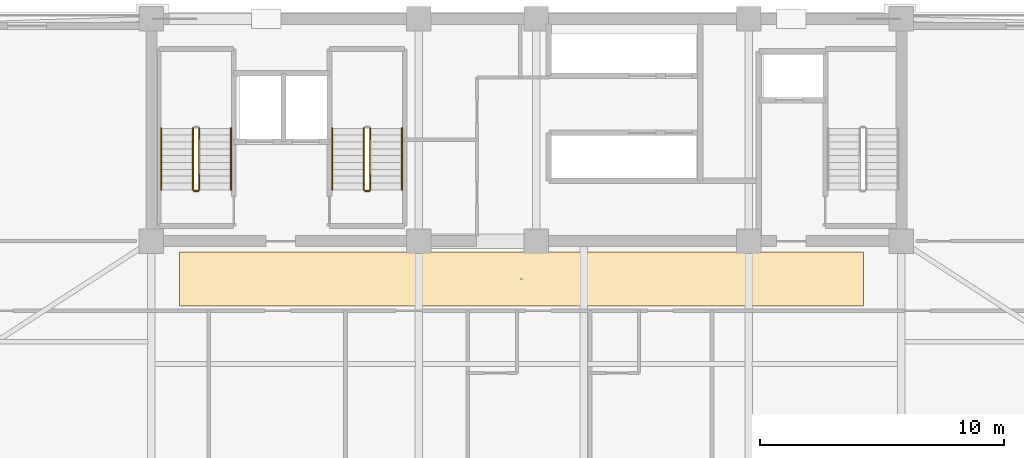
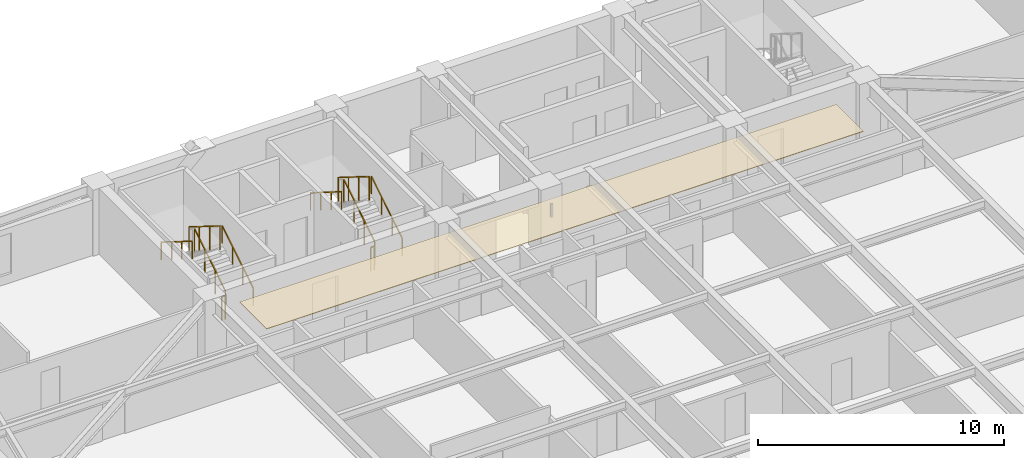
# One storey, part 14 of 17: 10 railings, 1 covering.
"""IFC4 building model written with IfcOpenShell, lengths in metres."""

from ifc_helpers import new_model, si_unit, direction, frame, origin, origin_2d, place, context, subcontext, project, spatial, polyline, rectangle, outline, extrude, material, layer, layer_set, type_object, element, save


model = new_model("IFC4")

# Units and contexts
model_context = context("Model", 3, precision=1e-05, world=origin(), true_north=direction((0.0, 1.0)))
body_context = subcontext(model_context, "Body", "Model", "MODEL_VIEW")
ifc_project = project(units=[si_unit("LENGTHUNIT", "METRE"), si_unit("AREAUNIT", "SQUARE_METRE"), si_unit("VOLUMEUNIT", "CUBIC_METRE"), si_unit("PLANEANGLEUNIT", "RADIAN"), si_unit("MASSUNIT", "GRAM", prefix="KILO")], contexts=[model_context])

# Site, building, storey
site_placement = place(None, origin())
site = spatial("IfcSite", under=ifc_project, at=site_placement, CompositionType="ELEMENT")
building_placement = place(site_placement, origin())
building = spatial("IfcBuilding", under=site, at=building_placement, Name="Giltprow Tower", CompositionType="ELEMENT")
storey_placement = place(building_placement, frame((0.0, 0.0, 213.199951171875)))
storey = spatial("IfcBuildingStorey", under=building, at=storey_placement, Name="L54", CompositionType="ELEMENT", Elevation=213.199951171875)

# Covering
ifc_material_1 = material(Name="Painted gypsum board", Category="gypsum")
ifc_layer = layer(ifc_material_1, 0.030029296875, Name="Painted gypsum board")
ifc_layer_set = layer_set([ifc_layer], Name="Painted gypsum board")
covering_type = type_object("IfcCoveringType", Name="COV-CLG-GYPSUM", PredefinedType="CEILING", material=ifc_layer_set)
covering_placement = place(storey_placement, frame((0.0, 0.0, 2.6201171875)))
element("IfcCovering", 1, at=covering_placement, inside=storey, type_object=covering_type, Name="L54 Hotel Corridor Gypsum Ceiling", PredefinedType="CEILING", context=body_context, shape_type="SweptSolid", body=[
    extrude(outline(polyline([(21.0, 34.800048828125), (49.0, 34.800048828125), (49.0, 37.0), (21.0, 37.0), (21.0, 34.800048828125)])), origin(), (0.0, 0.0, 1.0), 0.030029296875),
])

# Railings
ifc_material_2 = material(Name="Anodized bronze", Category="metal")
railing_type_1 = type_object("IfcRailingType", Name="RAIL-STAIR-GUARD-1200", PredefinedType="GUARDRAIL", material=ifc_material_2)
railing_1_placement = place(storey_placement, frame((21.81005859375, 39.550048828125, 0.175048828125)))
element("IfcRailing", 2, at=railing_1_placement, inside=storey, type_object=railing_type_1, Name="L54 ST-1 stair guard 1", PredefinedType="GUARDRAIL", context=body_context, shape_type="SweptSolid", body=[
    extrude(rectangle(XDim=0.048095703125, YDim=0.048095703125, at=origin_2d()), frame((0.0, 0.0, 1.17578125), z_axis=(0.0, 0.848007534815, 0.529984170421), x_axis=(-1.0, 0.0, 0.0)), (0.0, 0.0, 1.0), 2.9716796875),
    extrude(rectangle(XDim=0.0419921875, YDim=0.0419921875, at=origin_2d()), origin(), (0.0, 0.0, 1.0), 1.15185546875),
    extrude(rectangle(XDim=0.0419921875, YDim=0.0419921875, at=origin_2d()), frame((0.0, 0.840087890625, 0.52490234375)), (0.0, 0.0, 1.0), 1.15185546875),
    extrude(rectangle(XDim=0.0419921875, YDim=0.0419921875, at=origin_2d()), frame((0.0, 1.679931640625, 1.050048828125)), (0.0, 0.0, 1.0), 1.15185546875),
    extrude(rectangle(XDim=0.0419921875, YDim=0.0419921875, at=origin_2d()), frame((0.0, 2.52001953125, 1.574951171875)), (0.0, 0.0, 1.0), 1.15185546875),
])
railing_2_placement = place(storey_placement, frame((21.550048828125, 42.070068359375, 1.925048828125)))
element("IfcRailing", 3, at=railing_2_placement, inside=storey, type_object=railing_type_1, Name="L54 ST-1 stair guard 3", PredefinedType="GUARDRAIL", context=body_context, shape_type="SweptSolid", body=[
    extrude(rectangle(XDim=0.048095703125, YDim=0.048095703125, at=origin_2d()), frame((0.0, 0.0, 1.17578125), z_axis=(0.0, -0.848007534815, 0.529984170421), x_axis=(1.0, 0.0, 0.0)), (0.0, 0.0, 1.0), 2.9716796875),
    extrude(rectangle(XDim=0.0419921875, YDim=0.0419921875, at=origin_2d()), origin(), (0.0, 0.0, 1.0), 1.15185546875),
    extrude(rectangle(XDim=0.0419921875, YDim=0.0419921875, at=origin_2d()), frame((0.0, -0.840087890625, 0.52490234375)), (0.0, 0.0, 1.0), 1.15185546875),
    extrude(rectangle(XDim=0.0419921875, YDim=0.0419921875, at=origin_2d()), frame((0.0, -1.679931640625, 1.050048828125)), (0.0, 0.0, 1.0), 1.15185546875),
    extrude(rectangle(XDim=0.0419921875, YDim=0.0419921875, at=origin_2d()), frame((0.0, -2.52001953125, 1.574951171875)), (0.0, 0.0, 1.0), 1.15185546875),
])
railing_3_placement = place(storey_placement, frame((21.760009765625, 39.5, 0.0)))
element("IfcRailing", 4, at=railing_3_placement, inside=storey, type_object=railing_type_1, Name="L54 ST-1 stair guard 4", PredefinedType="GUARDRAIL", context=body_context, shape_type="SweptSolid", body=[
    extrude(rectangle(XDim=0.048095703125, YDim=0.048095703125, at=origin_2d()), frame((0.0, 0.0, 1.17578125), z_axis=(-1.0, 0.0, 0.0), x_axis=(0.0, -1.0, 0.0)), (0.0, 0.0, 1.0), 0.159912109375),
    extrude(rectangle(XDim=0.0419921875, YDim=0.0419921875, at=origin_2d()), origin(), (0.0, 0.0, 1.0), 1.15185546875),
    extrude(rectangle(XDim=0.0419921875, YDim=0.0419921875, at=origin_2d()), frame((-0.159912109375, 0.0, 0.0)), (0.0, 0.0, 1.0), 1.15185546875),
])
railing_4_placement = place(storey_placement, frame((28.81005859375, 39.550048828125, 0.175048828125)))
element("IfcRailing", 5, at=railing_4_placement, inside=storey, type_object=railing_type_1, Name="L54 ST-2 stair guard 1", PredefinedType="GUARDRAIL", context=body_context, shape_type="SweptSolid", body=[
    extrude(rectangle(XDim=0.048095703125, YDim=0.048095703125, at=origin_2d()), frame((0.0, 0.0, 1.17578125), z_axis=(0.0, 0.848007534815, 0.529984170421), x_axis=(-1.0, 0.0, 0.0)), (0.0, 0.0, 1.0), 2.9716796875),
    extrude(rectangle(XDim=0.0419921875, YDim=0.0419921875, at=origin_2d()), origin(), (0.0, 0.0, 1.0), 1.15185546875),
    extrude(rectangle(XDim=0.0419921875, YDim=0.0419921875, at=origin_2d()), frame((0.0, 0.840087890625, 0.52490234375)), (0.0, 0.0, 1.0), 1.15185546875),
    extrude(rectangle(XDim=0.0419921875, YDim=0.0419921875, at=origin_2d()), frame((0.0, 1.679931640625, 1.050048828125)), (0.0, 0.0, 1.0), 1.15185546875),
    extrude(rectangle(XDim=0.0419921875, YDim=0.0419921875, at=origin_2d()), frame((0.0, 2.52001953125, 1.574951171875)), (0.0, 0.0, 1.0), 1.15185546875),
])
railing_5_placement = place(storey_placement, frame((28.550048828125, 42.070068359375, 1.925048828125)))
element("IfcRailing", 6, at=railing_5_placement, inside=storey, type_object=railing_type_1, Name="L54 ST-2 stair guard 3", PredefinedType="GUARDRAIL", context=body_context, shape_type="SweptSolid", body=[
    extrude(rectangle(XDim=0.048095703125, YDim=0.048095703125, at=origin_2d()), frame((0.0, 0.0, 1.17578125), z_axis=(0.0, -0.848007534815, 0.529984170421), x_axis=(1.0, 0.0, 0.0)), (0.0, 0.0, 1.0), 2.9716796875),
    extrude(rectangle(XDim=0.0419921875, YDim=0.0419921875, at=origin_2d()), origin(), (0.0, 0.0, 1.0), 1.15185546875),
    extrude(rectangle(XDim=0.0419921875, YDim=0.0419921875, at=origin_2d()), frame((0.0, -0.840087890625, 0.52490234375)), (0.0, 0.0, 1.0), 1.15185546875),
    extrude(rectangle(XDim=0.0419921875, YDim=0.0419921875, at=origin_2d()), frame((0.0, -1.679931640625, 1.050048828125)), (0.0, 0.0, 1.0), 1.15185546875),
    extrude(rectangle(XDim=0.0419921875, YDim=0.0419921875, at=origin_2d()), frame((0.0, -2.52001953125, 1.574951171875)), (0.0, 0.0, 1.0), 1.15185546875),
])
railing_6_placement = place(storey_placement, frame((28.760009765625, 39.5, 0.0)))
element("IfcRailing", 7, at=railing_6_placement, inside=storey, type_object=railing_type_1, Name="L54 ST-2 stair guard 4", PredefinedType="GUARDRAIL", context=body_context, shape_type="SweptSolid", body=[
    extrude(rectangle(XDim=0.048095703125, YDim=0.048095703125, at=origin_2d()), frame((0.0, 0.0, 1.17578125), z_axis=(-1.0, 0.0, 0.0), x_axis=(0.0, -1.0, 0.0)), (0.0, 0.0, 1.0), 0.159912109375),
    extrude(rectangle(XDim=0.0419921875, YDim=0.0419921875, at=origin_2d()), origin(), (0.0, 0.0, 1.0), 1.15185546875),
    extrude(rectangle(XDim=0.0419921875, YDim=0.0419921875, at=origin_2d()), frame((-0.159912109375, 0.0, 0.0)), (0.0, 0.0, 1.0), 1.15185546875),
])
railing_type_2 = type_object("IfcRailingType", Name="RAIL-STAIR-HAND-900", PredefinedType="HANDRAIL", material=ifc_material_2)
railing_7_placement = place(storey_placement, frame((23.110107421875, 39.550048828125, 0.175048828125)))
element("IfcRailing", 8, at=railing_7_placement, inside=storey, type_object=railing_type_2, Name="L54 ST-1 stair handrail 1", PredefinedType="HANDRAIL", context=body_context, shape_type="SweptSolid", body=[
    extrude(rectangle(XDim=0.048095703125, YDim=0.048095703125, at=origin_2d()), frame((0.0, 0.0, 0.8759765625), z_axis=(0.0, 0.848007534815, 0.529984170421), x_axis=(-1.0, 0.0, 0.0)), (0.0, 0.0, 1.0), 2.9716796875),
    extrude(rectangle(XDim=0.0419921875, YDim=0.0419921875, at=origin_2d()), origin(), (0.0, 0.0, 1.0), 0.851806640625),
    extrude(rectangle(XDim=0.0419921875, YDim=0.0419921875, at=origin_2d()), frame((0.0, 0.840087890625, 0.52490234375)), (0.0, 0.0, 1.0), 0.851806640625),
    extrude(rectangle(XDim=0.0419921875, YDim=0.0419921875, at=origin_2d()), frame((0.0, 1.679931640625, 1.050048828125)), (0.0, 0.0, 1.0), 0.851806640625),
    extrude(rectangle(XDim=0.0419921875, YDim=0.0419921875, at=origin_2d()), frame((0.0, 2.52001953125, 1.574951171875)), (0.0, 0.0, 1.0), 0.851806640625),
])
railing_8_placement = place(storey_placement, frame((20.25, 42.070068359375, 1.925048828125)))
element("IfcRailing", 9, at=railing_8_placement, inside=storey, type_object=railing_type_2, Name="L54 ST-1 stair handrail 2", PredefinedType="HANDRAIL", context=body_context, shape_type="SweptSolid", body=[
    extrude(rectangle(XDim=0.048095703125, YDim=0.048095703125, at=origin_2d()), frame((0.0, 0.0, 0.8759765625), z_axis=(0.0, -0.848007534815, 0.529984170421), x_axis=(1.0, 0.0, 0.0)), (0.0, 0.0, 1.0), 2.9716796875),
    extrude(rectangle(XDim=0.0419921875, YDim=0.0419921875, at=origin_2d()), origin(), (0.0, 0.0, 1.0), 0.851806640625),
    extrude(rectangle(XDim=0.0419921875, YDim=0.0419921875, at=origin_2d()), frame((0.0, -0.840087890625, 0.52490234375)), (0.0, 0.0, 1.0), 0.851806640625),
    extrude(rectangle(XDim=0.0419921875, YDim=0.0419921875, at=origin_2d()), frame((0.0, -1.679931640625, 1.050048828125)), (0.0, 0.0, 1.0), 0.851806640625),
    extrude(rectangle(XDim=0.0419921875, YDim=0.0419921875, at=origin_2d()), frame((0.0, -2.52001953125, 1.574951171875)), (0.0, 0.0, 1.0), 0.851806640625),
])
railing_9_placement = place(storey_placement, frame((30.110107421875, 39.550048828125, 0.175048828125)))
element("IfcRailing", 10, at=railing_9_placement, inside=storey, type_object=railing_type_2, Name="L54 ST-2 stair handrail 1", PredefinedType="HANDRAIL", context=body_context, shape_type="SweptSolid", body=[
    extrude(rectangle(XDim=0.048095703125, YDim=0.048095703125, at=origin_2d()), frame((0.0, 0.0, 0.8759765625), z_axis=(0.0, 0.848007534815, 0.529984170421), x_axis=(-1.0, 0.0, 0.0)), (0.0, 0.0, 1.0), 2.9716796875),
    extrude(rectangle(XDim=0.0419921875, YDim=0.0419921875, at=origin_2d()), origin(), (0.0, 0.0, 1.0), 0.851806640625),
    extrude(rectangle(XDim=0.0419921875, YDim=0.0419921875, at=origin_2d()), frame((0.0, 0.840087890625, 0.52490234375)), (0.0, 0.0, 1.0), 0.851806640625),
    extrude(rectangle(XDim=0.0419921875, YDim=0.0419921875, at=origin_2d()), frame((0.0, 1.679931640625, 1.050048828125)), (0.0, 0.0, 1.0), 0.851806640625),
    extrude(rectangle(XDim=0.0419921875, YDim=0.0419921875, at=origin_2d()), frame((0.0, 2.52001953125, 1.574951171875)), (0.0, 0.0, 1.0), 0.851806640625),
])
railing_10_placement = place(storey_placement, frame((27.25, 42.070068359375, 1.925048828125)))
element("IfcRailing", 11, at=railing_10_placement, inside=storey, type_object=railing_type_2, Name="L54 ST-2 stair handrail 2", PredefinedType="HANDRAIL", context=body_context, shape_type="SweptSolid", body=[
    extrude(rectangle(XDim=0.048095703125, YDim=0.048095703125, at=origin_2d()), frame((0.0, 0.0, 0.8759765625), z_axis=(0.0, -0.848007534815, 0.529984170421), x_axis=(1.0, 0.0, 0.0)), (0.0, 0.0, 1.0), 2.9716796875),
    extrude(rectangle(XDim=0.0419921875, YDim=0.0419921875, at=origin_2d()), origin(), (0.0, 0.0, 1.0), 0.851806640625),
    extrude(rectangle(XDim=0.0419921875, YDim=0.0419921875, at=origin_2d()), frame((0.0, -0.840087890625, 0.52490234375)), (0.0, 0.0, 1.0), 0.851806640625),
    extrude(rectangle(XDim=0.0419921875, YDim=0.0419921875, at=origin_2d()), frame((0.0, -1.679931640625, 1.050048828125)), (0.0, 0.0, 1.0), 0.851806640625),
    extrude(rectangle(XDim=0.0419921875, YDim=0.0419921875, at=origin_2d()), frame((0.0, -2.52001953125, 1.574951171875)), (0.0, 0.0, 1.0), 0.851806640625),
])

save(model, "model.ifc")
